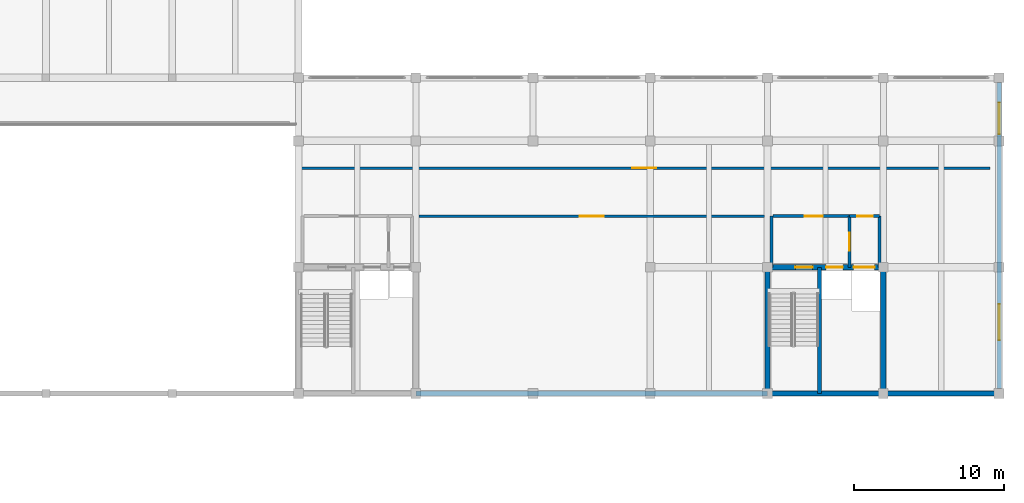
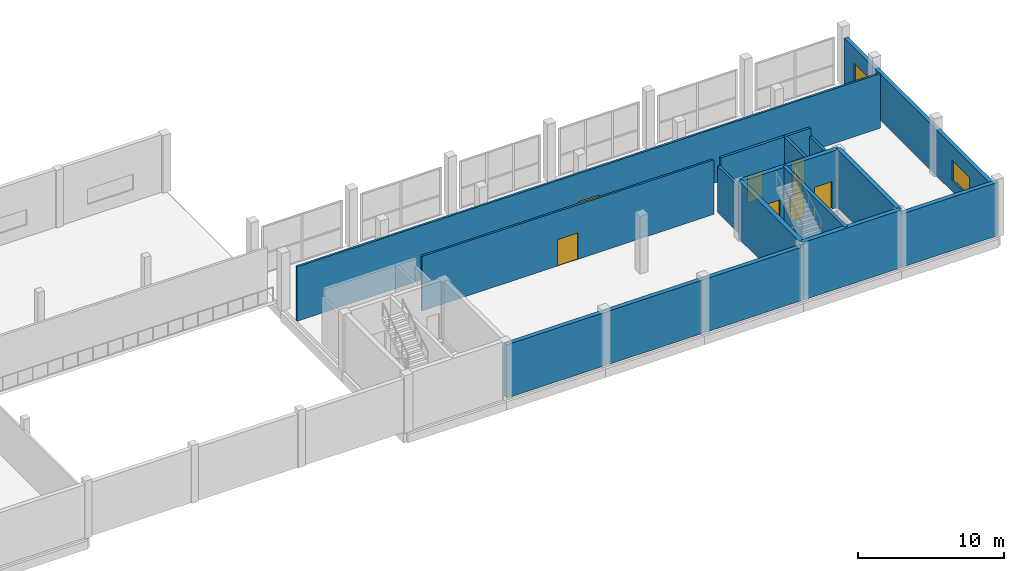
# One storey, part 39 of 47: 15 walls, 8 doors, 2 windows, 10 openings.
"""IFC4 building model written with IfcOpenShell, lengths in metres."""

from ifc_helpers import new_model, si_unit, direction, frame, frame_2d, origin, place, context, subcontext, project, spatial, rectangle, extrude, material, layer, layer_set, type_object, element, fill, save


model = new_model("IFC4")

# Units and contexts
model_context = context("Model", 3, precision=1e-05, world=origin(), true_north=direction((0.0, 1.0)))
body_context = subcontext(model_context, "Body", "Model", "MODEL_VIEW")
ifc_project = project(units=[si_unit("LENGTHUNIT", "METRE"), si_unit("AREAUNIT", "SQUARE_METRE"), si_unit("VOLUMEUNIT", "CUBIC_METRE"), si_unit("PLANEANGLEUNIT", "RADIAN"), si_unit("MASSUNIT", "GRAM", prefix="KILO")], contexts=[model_context])

# Site, building, storey
site_placement = place(None, origin())
site = spatial("IfcSite", under=ifc_project, at=site_placement, CompositionType="ELEMENT")
building_placement = place(site_placement, origin())
building = spatial("IfcBuilding", under=site, at=building_placement, Name="Vharandega Faculty of Natural Sciences", CompositionType="ELEMENT")
storey_placement = place(building_placement, frame((0.0, 0.0, 5.39990234375)))
storey = spatial("IfcBuildingStorey", under=building, at=storey_placement, Name="L01", CompositionType="ELEMENT", Elevation=5.39990234375)

# Walls
ifc_material_1 = material(Name="Concrete C40/50", Category="concrete")
ifc_layer_1 = layer(ifc_material_1, 0.35009765625, Name="Concrete C40/50")
ifc_layer_set_1 = layer_set([ifc_layer_1], Name="Concrete C40/50")
wall_type_1 = type_object("IfcWallType", Name="Core Shear Wall 350", PredefinedType="SHEAR", material=ifc_layer_set_1)
wall_1_placement = place(storey_placement, frame((146.0, 64.0, 0.0), z_axis=(0.0, 0.0, 1.0), x_axis=(1.0, 0.0, 0.0)))
element("IfcWall", 1, at=wall_1_placement, inside=storey, type_object=wall_type_1, Name="Interior Wall CW-C2-L01-S", PredefinedType="SHEAR", context=body_context, shape_type="SweptSolid", body=[
    extrude(rectangle(XDim=7.699951171875, YDim=0.35009765625, at=frame_2d((3.85009765625, 0.0))), origin(), (0.0, 0.0, 1.0), 4.800048828125),
])
for number, where, z_axis, x_axis, name in (
    (2, (146.0, 64.0, 0.0), (0.0, 0.0, 1.0), (0.0, 1.0, 0.0), "Interior Wall CW-C2-L01-W"),
    (3, (153.699951171875, 64.0, 0.0), (0.0, 0.0, 1.0), (0.0, 1.0, 0.0), "Interior Wall CW-C2-L01-E"),
):
    element("IfcWall", number, at=place(storey_placement, frame(where, z_axis=z_axis, x_axis=x_axis)), inside=storey, type_object=wall_type_1, Name=name, PredefinedType="SHEAR", context=body_context, shape_type="SweptSolid", body=[
        extrude(rectangle(XDim=8.39990234375, YDim=0.35009765625, at=frame_2d((4.199951171875, 0.0))), origin(), (0.0, 0.0, 1.0), 4.800048828125),
    ])

# Wall, openings, doors
wall_2_placement = place(storey_placement, frame((146.0, 72.39990234375, 0.0), z_axis=(0.0, 0.0, 1.0), x_axis=(1.0, 0.0, 0.0)))
wall_2 = element("IfcWall", 4, at=wall_2_placement, inside=storey, type_object=wall_type_1, Name="Interior Wall CW-C2-L01-N", PredefinedType="SHEAR", context=body_context, shape_type="SweptSolid", body=[
    extrude(rectangle(XDim=7.699951171875, YDim=0.35009765625, at=frame_2d((3.85009765625, 0.0))), origin(), (0.0, 0.0, 1.0), 4.800048828125),
])
opening_1_placement = place(wall_2_placement, frame((1.85009765625, 0.0, 0.0)))
opening_1 = element("IfcOpeningElement", 5, at=opening_1_placement, cuts=wall_2, Name="Opening FD1", PredefinedType="OPENING", context=body_context, shape_type="SweptSolid", body=[
    extrude(rectangle(XDim=1.14990234375, YDim=2.199951171875, at=frame_2d((0.574951171875, 1.10009765625))), frame((0.0, 0.18505859375, 0.0), z_axis=(0.0, -1.0, 0.0), x_axis=(1.0, 0.0, 0.0)), (0.0, 0.0, 1.0), 0.3701171875),
])
opening_2_placement = place(wall_2_placement, frame((3.89990234375, 0.0, 0.0)))
opening_2 = element("IfcOpeningElement", 6, at=opening_2_placement, cuts=wall_2, Name="Opening LD-FL2-L01", PredefinedType="OPENING", context=body_context, shape_type="SweptSolid", body=[
    extrude(rectangle(XDim=1.10009765625, YDim=2.14990234375, at=frame_2d((0.550048828125, 1.074951171875))), frame((0.0, 0.18505859375, 0.0), z_axis=(0.0, -1.0, 0.0), x_axis=(1.0, 0.0, 0.0)), (0.0, 0.0, 1.0), 0.3701171875),
])
opening_3_placement = place(wall_2_placement, frame((5.719970703125, 0.0, 0.0)))
opening_3 = element("IfcOpeningElement", 7, at=opening_3_placement, cuts=wall_2, Name="Opening LD-LG1-L01", PredefinedType="OPENING", context=body_context, shape_type="SweptSolid", body=[
    extrude(rectangle(XDim=1.39990234375, YDim=2.300048828125, at=frame_2d((0.699951171875, 1.14990234375))), frame((0.0, 0.18505859375, 0.0), z_axis=(0.0, -1.0, 0.0), x_axis=(1.0, 0.0, 0.0)), (0.0, 0.0, 1.0), 0.3701171875),
])
ifc_material_2 = material(Name="Solid-core hardwood timber fire door", Category="wood")
door_type_1 = type_object("IfcDoorType", Name="FD1-STAIR-1150x2200", OperationType="NOTDEFINED", PredefinedType="DOOR", material=ifc_material_2)
door_1_placement = place(opening_1_placement, origin())
door_1 = element("IfcDoor", 8, at=door_1_placement, inside=storey, type_object=door_type_1, Name="Stair ST2 Fire Door FD1", OperationType="SINGLE_SWING_LEFT", OverallHeight=2.199951171875, OverallWidth=1.14990234375, PredefinedType="DOOR", context=body_context, shape_type="SweptSolid", body=[
    extrude(rectangle(XDim=1.14990234375, YDim=2.199951171875, at=frame_2d((0.574951171875, 1.10009765625))), frame((0.0, 0.02490234375, 0.0), z_axis=(0.0, -1.0, 0.0), x_axis=(1.0, 0.0, 0.0)), (0.0, 0.0, 1.0), 0.050048828125),
])
fill(opening_1, door_1)
ifc_material_3 = material(Name="Brushed stainless steel sliding landing door", Category="steel")
door_type_2 = type_object("IfcDoorType", Name="LD1-FFLIFT-SLIDING-1100x2150", OperationType="DOUBLE_DOOR_SLIDING", PredefinedType="DOOR", material=ifc_material_3)
door_2_placement = place(opening_2_placement, origin())
door_2 = element("IfcDoor", 9, at=door_2_placement, inside=storey, type_object=door_type_2, Name="Lift Landing Door LD-FL2-L01", OperationType="DOUBLE_DOOR_SLIDING", OverallHeight=2.14990234375, OverallWidth=1.10009765625, PredefinedType="DOOR", context=body_context, shape_type="SweptSolid", body=[
    extrude(rectangle(XDim=1.10009765625, YDim=2.14990234375, at=frame_2d((0.550048828125, 1.074951171875))), frame((0.0, 0.02490234375, 0.0), z_axis=(0.0, -1.0, 0.0), x_axis=(1.0, 0.0, 0.0)), (0.0, 0.0, 1.0), 0.050048828125),
])
fill(opening_2, door_2)
ifc_material_4 = material(Name="Brushed stainless steel sliding landing door", Category="steel")
door_type_3 = type_object("IfcDoorType", Name="LD3-GOODSLIFT-SLIDING-1400x2300", OperationType="DOUBLE_DOOR_SLIDING", PredefinedType="DOOR", material=ifc_material_4)
door_3_placement = place(opening_3_placement, origin())
door_3 = element("IfcDoor", 10, at=door_3_placement, inside=storey, type_object=door_type_3, Name="Lift Landing Door LD-LG1-L01", OperationType="DOUBLE_DOOR_SLIDING", OverallHeight=2.300048828125, OverallWidth=1.39990234375, PredefinedType="DOOR", context=body_context, shape_type="SweptSolid", body=[
    extrude(rectangle(XDim=1.39990234375, YDim=2.300048828125, at=frame_2d((0.699951171875, 1.14990234375))), frame((0.0, 0.02490234375, 0.0), z_axis=(0.0, -1.0, 0.0), x_axis=(1.0, 0.0, 0.0)), (0.0, 0.0, 1.0), 0.050048828125),
])
fill(opening_3, door_3)

# Wall, opening, door
ifc_material_5 = material(Name="Concrete C40/50", Category="concrete")
ifc_layer_2 = layer(ifc_material_5, 0.199951171875, Name="Concrete C40/50")
ifc_layer_set_2 = layer_set([ifc_layer_2], Name="Concrete C40/50")
wall_type_2 = type_object("IfcWallType", Name="Firefighting Lobby Wall 200", PredefinedType="PARTITIONING", material=ifc_layer_set_2)
wall_3_placement = place(storey_placement, frame((146.35009765625, 75.800048828125, 0.0), z_axis=(0.0, 0.0, 1.0), x_axis=(1.0, 0.0, 0.0)))
wall_3 = element("IfcWall", 11, at=wall_3_placement, inside=storey, type_object=wall_type_2, Name="Interior Wall PW-FFL-C2-L01-N", PredefinedType="PARTITIONING", context=body_context, shape_type="SweptSolid", body=[
    extrude(rectangle(XDim=5.099853515625, YDim=0.199951171875, at=frame_2d((2.5498046875, 0.0))), origin(), (0.0, 0.0, 1.0), 4.52001953125),
])
opening_4_placement = place(wall_3_placement, frame((2.125, 0.0, 0.0)))
opening_4 = element("IfcOpeningElement", 12, at=opening_4_placement, cuts=wall_3, Name="Opening FD2", PredefinedType="OPENING", context=body_context, shape_type="SweptSolid", body=[
    extrude(rectangle(XDim=1.199951171875, YDim=2.199951171875, at=frame_2d((0.60009765625, 1.10009765625))), frame((0.0, 0.10986328125, 0.0), z_axis=(0.0, -1.0, 0.0), x_axis=(1.0, 0.0, 0.0)), (0.0, 0.0, 1.0), 0.219970703125),
])
ifc_material_6 = material(Name="Solid-core hardwood timber fire door", Category="wood")
door_type_4 = type_object("IfcDoorType", Name="FD2-FFLOBBY-1200x2200", OperationType="NOTDEFINED", PredefinedType="DOOR", material=ifc_material_6)
door_4_placement = place(opening_4_placement, origin())
door_4 = element("IfcDoor", 13, at=door_4_placement, inside=storey, type_object=door_type_4, Name="Firefighting Lobby C2 Door FD2", OperationType="SINGLE_SWING_LEFT", OverallHeight=2.199951171875, OverallWidth=1.199951171875, PredefinedType="DOOR", context=body_context, shape_type="SweptSolid", body=[
    extrude(rectangle(XDim=1.199951171875, YDim=2.199951171875, at=frame_2d((0.60009765625, 1.10009765625))), frame((0.0, 0.02490234375, 0.0), z_axis=(0.0, -1.0, 0.0), x_axis=(1.0, 0.0, 0.0)), (0.0, 0.0, 1.0), 0.050048828125),
])
fill(opening_4, door_4)

# Wall
wall_4_placement = place(storey_placement, frame((146.25, 72.39990234375, 0.0), z_axis=(0.0, 0.0, 1.0), x_axis=(0.0, 1.0, 0.0)))
element("IfcWall", 14, at=wall_4_placement, inside=storey, type_object=wall_type_2, Name="Interior Wall PW-FFL-C2-L01-W", PredefinedType="PARTITIONING", context=body_context, shape_type="SweptSolid", body=[
    extrude(rectangle(XDim=3.400146484375, YDim=0.199951171875, at=frame_2d((1.7001953125, 0.0))), origin(), (0.0, 0.0, 1.0), 3.85009765625),
])

# Wall, opening, door
wall_5_placement = place(storey_placement, frame((151.449951171875, 72.39990234375, 0.0), z_axis=(0.0, 0.0, 1.0), x_axis=(0.0, 1.0, 0.0)))
wall_5 = element("IfcWall", 15, at=wall_5_placement, inside=storey, type_object=wall_type_2, Name="Interior Wall PW-FFL-C2-L01-E", PredefinedType="PARTITIONING", context=body_context, shape_type="SweptSolid", body=[
    extrude(rectangle(XDim=3.400146484375, YDim=0.199951171875, at=frame_2d((1.7001953125, 0.0))), origin(), (0.0, 0.0, 1.0), 4.52001953125),
])
opening_5_placement = place(wall_5_placement, frame((1.10009765625, 0.0, 0.0)))
opening_5 = element("IfcOpeningElement", 16, at=opening_5_placement, cuts=wall_5, Name="Opening FD2", PredefinedType="OPENING", context=body_context, shape_type="SweptSolid", body=[
    extrude(rectangle(XDim=1.199951171875, YDim=2.199951171875, at=frame_2d((0.60009765625, 1.10009765625))), frame((0.0, 0.10986328125, 0.0), z_axis=(0.0, -1.0, 0.0), x_axis=(1.0, 0.0, 0.0)), (0.0, 0.0, 1.0), 0.219970703125),
])
door_5_placement = place(opening_5_placement, origin())
door_5 = element("IfcDoor", 17, at=door_5_placement, inside=storey, type_object=door_type_4, Name="Lobby Interconnect C2 Door FD2", OperationType="SINGLE_SWING_RIGHT", OverallHeight=2.199951171875, OverallWidth=1.199951171875, PredefinedType="DOOR", context=body_context, shape_type="SweptSolid", body=[
    extrude(rectangle(XDim=1.199951171875, YDim=2.199951171875, at=frame_2d((0.60009765625, 1.10009765625))), frame((0.0, 0.02490234375, 0.0), z_axis=(0.0, -1.0, 0.0), x_axis=(1.0, 0.0, 0.0)), (0.0, 0.0, 1.0), 0.050048828125),
])
fill(opening_5, door_5)

wall_6_placement = place(storey_placement, frame((151.449951171875, 75.800048828125, 0.0), z_axis=(0.0, 0.0, 1.0), x_axis=(1.0, 0.0, 0.0)))
wall_6 = element("IfcWall", 18, at=wall_6_placement, inside=storey, type_object=wall_type_2, Name="Interior Wall PW-LL-C2-L01-N", PredefinedType="PARTITIONING", context=body_context, shape_type="SweptSolid", body=[
    extrude(rectangle(XDim=2.0, YDim=0.199951171875, at=frame_2d((1.0, 0.0))), origin(), (0.0, 0.0, 1.0), 4.52001953125),
])
opening_6_placement = place(wall_6_placement, frame((0.5, 0.0, 0.0)))
opening_6 = element("IfcOpeningElement", 19, at=opening_6_placement, cuts=wall_6, Name="Opening FD4", PredefinedType="OPENING", context=body_context, shape_type="SweptSolid", body=[
    extrude(rectangle(XDim=1.050048828125, YDim=2.14990234375, at=frame_2d((0.52490234375, 1.074951171875))), frame((0.0, 0.10986328125, 0.0), z_axis=(0.0, -1.0, 0.0), x_axis=(1.0, 0.0, 0.0)), (0.0, 0.0, 1.0), 0.219970703125),
])
ifc_material_7 = material(Name="Solid-core hardwood timber fire door", Category="wood")
door_type_5 = type_object("IfcDoorType", Name="FD4-LAB-SGL-1050x2150", OperationType="NOTDEFINED", PredefinedType="DOOR", material=ifc_material_7)
door_6_placement = place(opening_6_placement, origin())
door_6 = element("IfcDoor", 20, at=door_6_placement, inside=storey, type_object=door_type_5, Name="Lift Lobby C2 Door FD4", OperationType="SINGLE_SWING_LEFT", OverallHeight=2.14990234375, OverallWidth=1.050048828125, PredefinedType="DOOR", context=body_context, shape_type="SweptSolid", body=[
    extrude(rectangle(XDim=1.050048828125, YDim=2.14990234375, at=frame_2d((0.52490234375, 1.074951171875))), frame((0.0, 0.02490234375, 0.0), z_axis=(0.0, -1.0, 0.0), x_axis=(1.0, 0.0, 0.0)), (0.0, 0.0, 1.0), 0.050048828125),
])
fill(opening_6, door_6)

# Walls
wall_7_placement = place(storey_placement, frame((153.449951171875, 72.39990234375, 0.0), z_axis=(0.0, 0.0, 1.0), x_axis=(0.0, 1.0, 0.0)))
element("IfcWall", 21, at=wall_7_placement, inside=storey, type_object=wall_type_2, Name="Interior Wall PW-LL-C2-L01-E", PredefinedType="PARTITIONING", context=body_context, shape_type="SweptSolid", body=[
    extrude(rectangle(XDim=3.400146484375, YDim=0.199951171875, at=frame_2d((1.7001953125, 0.0))), origin(), (0.0, 0.0, 1.0), 3.85009765625),
])
ifc_material_8 = material(Name="Granite ashlar masonry 25 MPa", Category="masonry")
ifc_layer_3 = layer(ifc_material_8, 0.340087890625, Name="Granite ashlar masonry 25 MPa")
ifc_layer_set_3 = layer_set([ifc_layer_3], Name="Granite ashlar masonry 25 MPa")
wall_type_3 = type_object("IfcWallType", Name="Imperforate Party Wall 340", PredefinedType="SOLIDWALL", material=ifc_layer_set_3)
wall_8_placement = place(storey_placement, frame((146.0, 64.0, 0.0), z_axis=(0.0, 0.0, 1.0), x_axis=(-1.0, 0.0, 0.0)))
element("IfcWall", 22, at=wall_8_placement, inside=storey, type_object=wall_type_3, Name="Exterior Wall EW-PTY-L01-J2A", PredefinedType="SOLIDWALL", context=body_context, shape_type="SweptSolid", body=[
    extrude(rectangle(XDim=23.39990234375, YDim=0.340087890625, at=frame_2d((11.699951171875, 0.0))), origin(), (0.0, 0.0, 1.0), 4.4501953125),
])
wall_9_placement = place(storey_placement, frame((161.39990234375, 64.0, 0.0), z_axis=(0.0, 0.0, 1.0), x_axis=(-1.0, 0.0, 0.0)))
element("IfcWall", 23, at=wall_9_placement, inside=storey, type_object=wall_type_3, Name="Exterior Wall EW-PTY-L01-J2B", PredefinedType="SOLIDWALL", context=body_context, shape_type="SweptSolid", body=[
    extrude(rectangle(XDim=7.699951171875, YDim=0.340087890625, at=frame_2d((3.85009765625, 0.0))), origin(), (0.0, 0.0, 1.0), 4.4501953125),
])

# Wall, opening, door
ifc_material_9 = material(Name="Gypsum fire-board on steel stud", Category="steel")
ifc_layer_4 = layer(ifc_material_9, 0.159912109375, Name="Gypsum fire-board on steel stud")
ifc_layer_set_4 = layer_set([ifc_layer_4], Name="Gypsum fire-board on steel stud")
wall_type_4 = type_object("IfcWallType", Name="Laboratory Fire Corridor Wall 160", PredefinedType="PARTITIONING", material=ifc_layer_set_4)
wall_10_placement = place(storey_placement, frame((122.800048828125, 75.800048828125, 0.0), z_axis=(0.0, 0.0, 1.0), x_axis=(1.0, 0.0, 0.0)))
wall_10 = element("IfcWall", 24, at=wall_10_placement, inside=storey, type_object=wall_type_4, Name="Interior Wall PW-L01-R16N", PredefinedType="PARTITIONING", context=body_context, shape_type="SweptSolid", body=[
    extrude(rectangle(XDim=23.0, YDim=0.159912109375, at=frame_2d((11.5, 0.0))), origin(), (0.0, 0.0, 1.0), 4.5400390625),
])
opening_7_placement = place(wall_10_placement, frame((10.699951171875, 0.0, 0.0)))
opening_7 = element("IfcOpeningElement", 25, at=opening_7_placement, cuts=wall_10, Name="Opening FD3", PredefinedType="OPENING", context=body_context, shape_type="SweptSolid", body=[
    extrude(rectangle(XDim=1.60009765625, YDim=2.199951171875, at=frame_2d((0.800048828125, 1.10009765625))), frame((0.0, 0.08984375, 0.0), z_axis=(0.0, -1.0, 0.0), x_axis=(1.0, 0.0, 0.0)), (0.0, 0.0, 1.0), 0.179931640625),
])
ifc_material_10 = material(Name="Solid-core hardwood timber fire door", Category="wood")
door_type_6 = type_object("IfcDoorType", Name="FD3-LAB-DBL-1600x2200", OperationType="DOUBLE_DOOR_SINGLE_SWING", PredefinedType="DOOR", material=ifc_material_10)
door_7_placement = place(opening_7_placement, origin())
door_7 = element("IfcDoor", 26, at=door_7_placement, inside=storey, type_object=door_type_6, Name="Undergraduate General Chemistry Teaching Laboratory Door FD3", OperationType="DOUBLE_DOOR_SINGLE_SWING", OverallHeight=2.199951171875, OverallWidth=1.60009765625, PredefinedType="DOOR", context=body_context, shape_type="SweptSolid", body=[
    extrude(rectangle(XDim=1.60009765625, YDim=2.199951171875, at=frame_2d((0.800048828125, 1.10009765625))), frame((0.0, 0.02490234375, 0.0), z_axis=(0.0, -1.0, 0.0), x_axis=(1.0, 0.0, 0.0)), (0.0, 0.0, 1.0), 0.050048828125),
])
fill(opening_7, door_7)

wall_11_placement = place(storey_placement, frame((114.800048828125, 79.0, 0.0), z_axis=(0.0, 0.0, 1.0), x_axis=(1.0, 0.0, 0.0)))
wall_11 = element("IfcWall", 27, at=wall_11_placement, inside=storey, type_object=wall_type_4, Name="Interior Wall PW-L01-R17S", PredefinedType="PARTITIONING", context=body_context, shape_type="SweptSolid", body=[
    extrude(rectangle(XDim=46.0, YDim=0.159912109375, at=frame_2d((23.0, 0.0))), origin(), (0.0, 0.0, 1.0), 4.5400390625),
])
opening_8_placement = place(wall_11_placement, frame((22.199951171875, 0.0, 0.0)))
opening_8 = element("IfcOpeningElement", 28, at=opening_8_placement, cuts=wall_11, Name="Opening FD3", PredefinedType="OPENING", context=body_context, shape_type="SweptSolid", body=[
    extrude(rectangle(XDim=1.60009765625, YDim=2.199951171875, at=frame_2d((0.800048828125, 1.10009765625))), frame((0.0, 0.08984375, 0.0), z_axis=(0.0, -1.0, 0.0), x_axis=(1.0, 0.0, 0.0)), (0.0, 0.0, 1.0), 0.179931640625),
])
door_8_placement = place(opening_8_placement, origin())
door_8 = element("IfcDoor", 29, at=door_8_placement, inside=storey, type_object=door_type_6, Name="Chemistry Balance and Prep Laboratory Door FD3", OperationType="DOUBLE_DOOR_SINGLE_SWING", OverallHeight=2.199951171875, OverallWidth=1.60009765625, PredefinedType="DOOR", context=body_context, shape_type="SweptSolid", body=[
    extrude(rectangle(XDim=1.60009765625, YDim=2.199951171875, at=frame_2d((0.800048828125, 1.10009765625))), frame((0.0, 0.02490234375, 0.0), z_axis=(0.0, -1.0, 0.0), x_axis=(1.0, 0.0, 0.0)), (0.0, 0.0, 1.0), 0.050048828125),
])
fill(opening_8, door_8)

# Wall
ifc_material_11 = material(Name="Concrete C40/50", Category="concrete")
ifc_layer_5 = layer(ifc_material_11, 0.260009765625, Name="Concrete C40/50")
ifc_layer_set_5 = layer_set([ifc_layer_5], Name="Concrete C40/50")
wall_type_5 = type_object("IfcWallType", Name="Lift Shaft Shear Wall 260", PredefinedType="SHEAR", material=ifc_layer_set_5)
wall_12_placement = place(storey_placement, frame((149.4599609375, 64.0, 0.0), z_axis=(0.0, 0.0, 1.0), x_axis=(0.0, 1.0, 0.0)))
element("IfcWall", 30, at=wall_12_placement, inside=storey, type_object=wall_type_5, Name="Interior Wall CW-C2-L01-DIV", PredefinedType="SHEAR", context=body_context, shape_type="SweptSolid", body=[
    extrude(rectangle(XDim=8.39990234375, YDim=0.260009765625, at=frame_2d((4.199951171875, 0.0))), origin(), (0.0, 0.0, 1.0), 4.800048828125),
])

# Wall, openings, windows
ifc_material_12 = material(Name="Precast concrete C40/50", Category="concrete")
ifc_layer_6 = layer(ifc_material_12, 0.300048828125, Name="Precast concrete C40/50")
ifc_layer_set_6 = layer_set([ifc_layer_6], Name="Precast concrete C40/50")
wall_type_6 = type_object("IfcWallType", Name="Polychrome Precast Facade Wall 300", PredefinedType="SOLIDWALL", material=ifc_layer_set_6)
wall_13_placement = place(storey_placement, frame((161.39990234375, 84.677001953125, 0.0), z_axis=(0.0, 0.0, 1.0), x_axis=(0.0, -1.0, 0.0)))
wall_13 = element("IfcWall", 31, at=wall_13_placement, inside=storey, type_object=wall_type_6, Name="Exterior Wall EW-L01-V4E", PredefinedType="SOLIDWALL", context=body_context, shape_type="SweptSolid", body=[
    extrude(rectangle(XDim=20.35400390625, YDim=0.300048828125, at=frame_2d((10.177001953125, 0.0))), origin(), (0.0, 0.0, 1.0), 3.85009765625),
])
opening_9_placement = place(wall_13_placement, frame((1.326904296875, 0.0, 0.949951171875)))
opening_9 = element("IfcOpeningElement", 32, at=opening_9_placement, cuts=wall_13, Name="Opening WN-22", PredefinedType="OPENING", context=body_context, shape_type="SweptSolid", body=[
    extrude(rectangle(XDim=2.10009765625, YDim=1.60009765625, at=frame_2d((1.050048828125, 0.800048828125))), frame((0.0, 0.16015625, 0.0), z_axis=(0.0, -1.0, 0.0), x_axis=(1.0, 0.0, 0.0)), (0.0, 0.0, 1.0), 0.320068359375),
])
opening_10_placement = place(wall_13_placement, frame((14.72705078125, 0.0, 0.949951171875)))
opening_10 = element("IfcOpeningElement", 33, at=opening_10_placement, cuts=wall_13, Name="Opening WN-24", PredefinedType="OPENING", context=body_context, shape_type="SweptSolid", body=[
    extrude(rectangle(XDim=2.39990234375, YDim=1.64990234375, at=frame_2d((1.199951171875, 0.824951171875))), frame((0.0, 0.16015625, 0.0), z_axis=(0.0, -1.0, 0.0), x_axis=(1.0, 0.0, 0.0)), (0.0, 0.0, 1.0), 0.320068359375),
])
ifc_material_13 = material(Name="Double-glazed solar-control glass in thermally broken aluminium frame", Category="aluminium")
window_type_1 = type_object("IfcWindowType", Name="WIN-SEM-210x160", PartitioningType="DOUBLE_PANEL_VERTICAL", PredefinedType="WINDOW", material=ifc_material_13)
window_1_placement = place(opening_9_placement, origin())
window_1 = element("IfcWindow", 34, at=window_1_placement, inside=storey, type_object=window_type_1, Name="Window WIN-L01-0003", OverallHeight=1.60009765625, OverallWidth=2.10009765625, PartitioningType="SINGLE_PANEL", PredefinedType="WINDOW", context=body_context, shape_type="SweptSolid", body=[
    extrude(rectangle(XDim=2.10009765625, YDim=1.60009765625, at=frame_2d((1.050048828125, 0.800048828125))), frame((0.0, 0.030029296875, 0.0), z_axis=(0.0, -1.0, 0.0), x_axis=(1.0, 0.0, 0.0)), (0.0, 0.0, 1.0), 0.06005859375),
])
fill(opening_9, window_1)
ifc_material_14 = material(Name="Double-glazed solar-control glass in thermally broken aluminium frame", Category="aluminium")
window_type_2 = type_object("IfcWindowType", Name="WIN-SEM-240x165", PartitioningType="DOUBLE_PANEL_VERTICAL", PredefinedType="WINDOW", material=ifc_material_14)
window_2_placement = place(opening_10_placement, origin())
window_2 = element("IfcWindow", 35, at=window_2_placement, inside=storey, type_object=window_type_2, Name="Window WIN-L01-0004", OverallHeight=1.64990234375, OverallWidth=2.39990234375, PartitioningType="SINGLE_PANEL", PredefinedType="WINDOW", context=body_context, shape_type="SweptSolid", body=[
    extrude(rectangle(XDim=2.39990234375, YDim=1.64990234375, at=frame_2d((1.199951171875, 0.824951171875))), frame((0.0, 0.030029296875, 0.0), z_axis=(0.0, -1.0, 0.0), x_axis=(1.0, 0.0, 0.0)), (0.0, 0.0, 1.0), 0.06005859375),
])
fill(opening_10, window_2)

save(model, "model.ifc")
